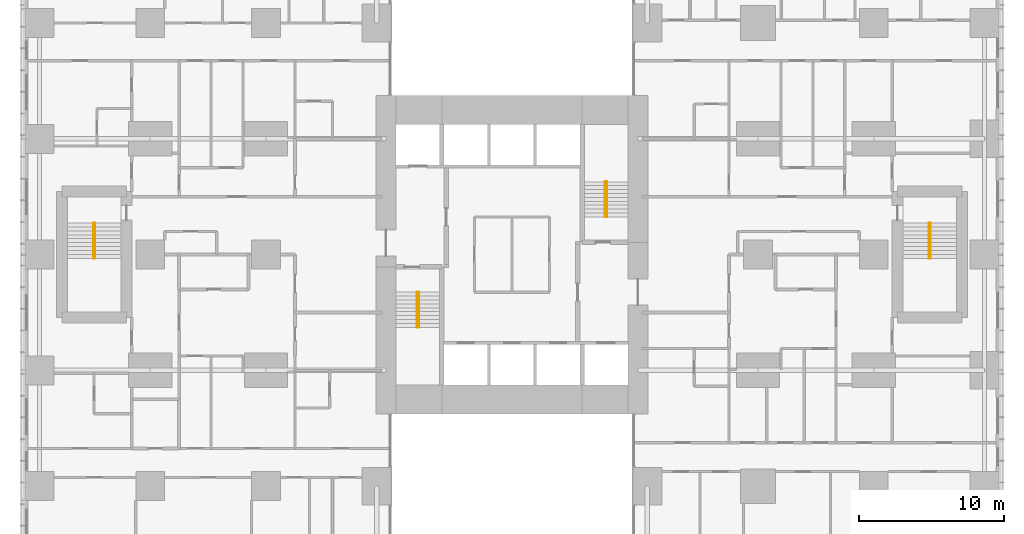
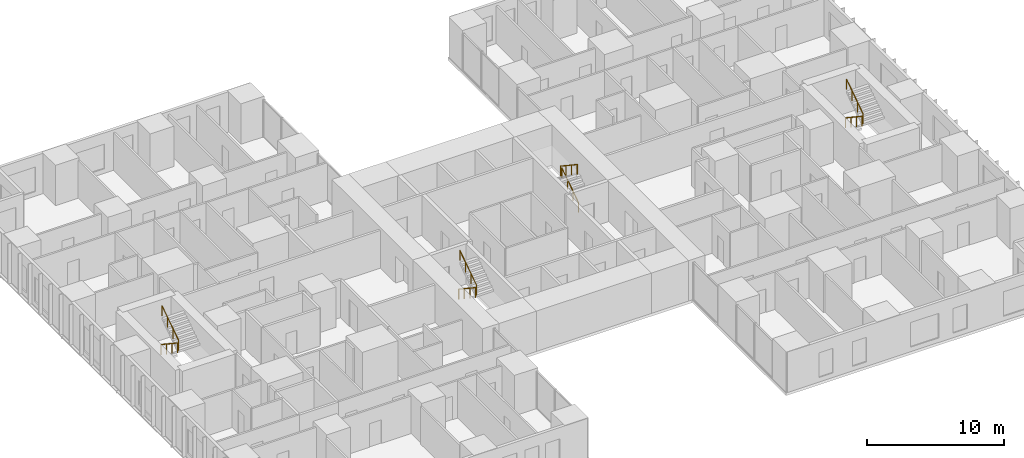
# One storey, part 20 of 20: 8 railings.
"""IFC4 building model written with IfcOpenShell, lengths in metres."""

from ifc_helpers import new_model, si_unit, direction, frame, origin, origin_2d, place, context, subcontext, project, spatial, circle, extrude, material, type_object, element, save


model = new_model("IFC4")

# Units and contexts
model_context = context("Model", 3, precision=1e-05, world=origin(), true_north=direction((0.0, 1.0)))
body_context = subcontext(model_context, "Body", "Model", "MODEL_VIEW")
ifc_project = project(units=[si_unit("LENGTHUNIT", "METRE"), si_unit("AREAUNIT", "SQUARE_METRE"), si_unit("VOLUMEUNIT", "CUBIC_METRE"), si_unit("PLANEANGLEUNIT", "RADIAN"), si_unit("MASSUNIT", "GRAM", prefix="KILO")], contexts=[model_context])

# Site, building, storey
site_placement = place(None, origin())
site = spatial("IfcSite", under=ifc_project, at=site_placement, CompositionType="ELEMENT")
building_placement = place(site_placement, origin())
building = spatial("IfcBuilding", under=site, at=building_placement, Name="Cleftline Residences", CompositionType="ELEMENT")
storey_placement = place(building_placement, frame((0.0, 0.0, 153.800048828125)))
storey = spatial("IfcBuildingStorey", under=building, at=storey_placement, Name="L40", CompositionType="ELEMENT", Elevation=153.800048828125)

# Railings
ifc_material = material(Name="Stainless steel", Category="steel")
railing_type = type_object("IfcRailingType", Name="HANDRAIL 900", PredefinedType="HANDRAIL", material=ifc_material)
railing_1_placement = place(storey_placement, frame((26.449951171875, 21.39990234375, 0.179931640625)))
element("IfcRailing", 1, at=railing_1_placement, inside=storey, type_object=railing_type, Name="Stair handrail", PredefinedType="HANDRAIL", context=body_context, shape_type="SweptSolid", body=[
    extrude(circle(Radius=0.02392578125, at=origin_2d()), frame((0.0, 0.0, 0.8759765625), z_axis=(0.0, -0.832024571796, 0.554738778101), x_axis=(1.0, 0.0, 0.0)), (0.0, 0.0, 1.0), 2.92041015625),
    extrude(circle(Radius=0.02099609375, at=origin_2d()), origin(), (0.0, 0.0, 1.0), 0.851806640625),
    extrude(circle(Radius=0.02099609375, at=origin_2d()), frame((0.0, -0.81005859375, 0.5400390625)), (0.0, 0.0, 1.0), 0.851806640625),
    extrude(circle(Radius=0.02099609375, at=origin_2d()), frame((0.0, -1.619873046875, 1.080078125)), (0.0, 0.0, 1.0), 0.851806640625),
    extrude(circle(Radius=0.02099609375, at=origin_2d()), frame((0.0, -2.429931640625, 1.6201171875)), (0.0, 0.0, 1.0), 0.851806640625),
])
railing_2_placement = place(storey_placement, frame((26.550048828125, 18.969970703125, 1.97998046875)))
element("IfcRailing", 2, at=railing_2_placement, inside=storey, type_object=railing_type, Name="Stair handrail", PredefinedType="HANDRAIL", context=body_context, shape_type="SweptSolid", body=[
    extrude(circle(Radius=0.02392578125, at=origin_2d()), frame((0.0, 0.0, 0.8759765625), z_axis=(0.0, 0.832063155534, 0.554680903946), x_axis=(-1.0, 0.0, 0.0)), (0.0, 0.0, 1.0), 2.92041015625),
    extrude(circle(Radius=0.02099609375, at=origin_2d()), origin(), (0.0, 0.0, 1.0), 0.851806640625),
    extrude(circle(Radius=0.02099609375, at=origin_2d()), frame((0.0, 0.81005859375, 0.5400390625)), (0.0, 0.0, 1.0), 0.851806640625),
    extrude(circle(Radius=0.02099609375, at=origin_2d()), frame((0.0, 1.619873046875, 1.079833984375)), (0.0, 0.0, 1.0), 0.851806640625),
    extrude(circle(Radius=0.02099609375, at=origin_2d()), frame((0.0, 2.429931640625, 1.619873046875)), (0.0, 0.0, 1.0), 0.851806640625),
])
railing_3_placement = place(storey_placement, frame((39.550048828125, 26.60009765625, 0.179931640625)))
element("IfcRailing", 3, at=railing_3_placement, inside=storey, type_object=railing_type, Name="Stair handrail", PredefinedType="HANDRAIL", context=body_context, shape_type="SweptSolid", body=[
    extrude(circle(Radius=0.02392578125, at=origin_2d()), frame((0.0, 0.0, 0.8759765625), z_axis=(0.0, 0.832024571796, 0.554738778101), x_axis=(-1.0, 0.0, 0.0)), (0.0, 0.0, 1.0), 2.92041015625),
    extrude(circle(Radius=0.02099609375, at=origin_2d()), origin(), (0.0, 0.0, 1.0), 0.851806640625),
    extrude(circle(Radius=0.02099609375, at=origin_2d()), frame((0.0, 0.81005859375, 0.5400390625)), (0.0, 0.0, 1.0), 0.851806640625),
    extrude(circle(Radius=0.02099609375, at=origin_2d()), frame((0.0, 1.619873046875, 1.080078125)), (0.0, 0.0, 1.0), 0.851806640625),
    extrude(circle(Radius=0.02099609375, at=origin_2d()), frame((0.0, 2.429931640625, 1.6201171875)), (0.0, 0.0, 1.0), 0.851806640625),
])
railing_4_placement = place(storey_placement, frame((39.449951171875, 29.030029296875, 1.97998046875)))
element("IfcRailing", 4, at=railing_4_placement, inside=storey, type_object=railing_type, Name="Stair handrail", PredefinedType="HANDRAIL", context=body_context, shape_type="SweptSolid", body=[
    extrude(circle(Radius=0.02392578125, at=origin_2d()), frame((0.0, 0.0, 0.8759765625), z_axis=(0.0, -0.832063155534, 0.554680903946), x_axis=(1.0, 0.0, 0.0)), (0.0, 0.0, 1.0), 2.92041015625),
    extrude(circle(Radius=0.02099609375, at=origin_2d()), origin(), (0.0, 0.0, 1.0), 0.851806640625),
    extrude(circle(Radius=0.02099609375, at=origin_2d()), frame((0.0, -0.81005859375, 0.5400390625)), (0.0, 0.0, 1.0), 0.851806640625),
    extrude(circle(Radius=0.02099609375, at=origin_2d()), frame((0.0, -1.619873046875, 1.079833984375)), (0.0, 0.0, 1.0), 0.851806640625),
    extrude(circle(Radius=0.02099609375, at=origin_2d()), frame((0.0, -2.429931640625, 1.619873046875)), (0.0, 0.0, 1.0), 0.851806640625),
])
railing_5_placement = place(storey_placement, frame((61.824951171875, 26.175048828125, 0.179931640625)))
element("IfcRailing", 5, at=railing_5_placement, inside=storey, type_object=railing_type, Name="Stair handrail", PredefinedType="HANDRAIL", context=body_context, shape_type="SweptSolid", body=[
    extrude(circle(Radius=0.02392578125, at=origin_2d()), frame((0.0, 0.0, 0.8759765625), z_axis=(0.0, -0.832024571796, 0.554738778101), x_axis=(1.0, 0.0, 0.0)), (0.0, 0.0, 1.0), 2.92041015625),
    extrude(circle(Radius=0.02099609375, at=origin_2d()), origin(), (0.0, 0.0, 1.0), 0.851806640625),
    extrude(circle(Radius=0.02099609375, at=origin_2d()), frame((0.0, -0.81005859375, 0.5400390625)), (0.0, 0.0, 1.0), 0.851806640625),
    extrude(circle(Radius=0.02099609375, at=origin_2d()), frame((0.0, -1.619873046875, 1.080078125)), (0.0, 0.0, 1.0), 0.851806640625),
    extrude(circle(Radius=0.02099609375, at=origin_2d()), frame((0.0, -2.429931640625, 1.6201171875)), (0.0, 0.0, 1.0), 0.851806640625),
])
railing_6_placement = place(storey_placement, frame((61.925048828125, 23.7451171875, 1.97998046875)))
element("IfcRailing", 6, at=railing_6_placement, inside=storey, type_object=railing_type, Name="Stair handrail", PredefinedType="HANDRAIL", context=body_context, shape_type="SweptSolid", body=[
    extrude(circle(Radius=0.02392578125, at=origin_2d()), frame((0.0, 0.0, 0.8759765625), z_axis=(0.0, 0.832063155534, 0.554680903946), x_axis=(-1.0, 0.0, 0.0)), (0.0, 0.0, 1.0), 2.92041015625),
    extrude(circle(Radius=0.02099609375, at=origin_2d()), origin(), (0.0, 0.0, 1.0), 0.851806640625),
    extrude(circle(Radius=0.02099609375, at=origin_2d()), frame((0.0, 0.81005859375, 0.5400390625)), (0.0, 0.0, 1.0), 0.851806640625),
    extrude(circle(Radius=0.02099609375, at=origin_2d()), frame((0.0, 1.619873046875, 1.079833984375)), (0.0, 0.0, 1.0), 0.851806640625),
    extrude(circle(Radius=0.02099609375, at=origin_2d()), frame((0.0, 2.429931640625, 1.619873046875)), (0.0, 0.0, 1.0), 0.851806640625),
])
railing_7_placement = place(storey_placement, frame((4.074951171875, 26.175048828125, 0.179931640625)))
element("IfcRailing", 7, at=railing_7_placement, inside=storey, type_object=railing_type, Name="Stair handrail", PredefinedType="HANDRAIL", context=body_context, shape_type="SweptSolid", body=[
    extrude(circle(Radius=0.02392578125, at=origin_2d()), frame((0.0, 0.0, 0.8759765625), z_axis=(0.0, -0.832024571796, 0.554738778101), x_axis=(1.0, 0.0, 0.0)), (0.0, 0.0, 1.0), 2.92041015625),
    extrude(circle(Radius=0.02099609375, at=origin_2d()), origin(), (0.0, 0.0, 1.0), 0.851806640625),
    extrude(circle(Radius=0.02099609375, at=origin_2d()), frame((0.0, -0.81005859375, 0.5400390625)), (0.0, 0.0, 1.0), 0.851806640625),
    extrude(circle(Radius=0.02099609375, at=origin_2d()), frame((0.0, -1.619873046875, 1.080078125)), (0.0, 0.0, 1.0), 0.851806640625),
    extrude(circle(Radius=0.02099609375, at=origin_2d()), frame((0.0, -2.429931640625, 1.6201171875)), (0.0, 0.0, 1.0), 0.851806640625),
])
railing_8_placement = place(storey_placement, frame((4.175048828125, 23.7451171875, 1.97998046875)))
element("IfcRailing", 8, at=railing_8_placement, inside=storey, type_object=railing_type, Name="Stair handrail", PredefinedType="HANDRAIL", context=body_context, shape_type="SweptSolid", body=[
    extrude(circle(Radius=0.02392578125, at=origin_2d()), frame((0.0, 0.0, 0.8759765625), z_axis=(0.0, 0.832063155534, 0.554680903946), x_axis=(-1.0, 0.0, 0.0)), (0.0, 0.0, 1.0), 2.92041015625),
    extrude(circle(Radius=0.02099609375, at=origin_2d()), origin(), (0.0, 0.0, 1.0), 0.851806640625),
    extrude(circle(Radius=0.02099609375, at=origin_2d()), frame((0.0, 0.81005859375, 0.5400390625)), (0.0, 0.0, 1.0), 0.851806640625),
    extrude(circle(Radius=0.02099609375, at=origin_2d()), frame((0.0, 1.619873046875, 1.079833984375)), (0.0, 0.0, 1.0), 0.851806640625),
    extrude(circle(Radius=0.02099609375, at=origin_2d()), frame((0.0, 2.429931640625, 1.619873046875)), (0.0, 0.0, 1.0), 0.851806640625),
])

save(model, "model.ifc")
